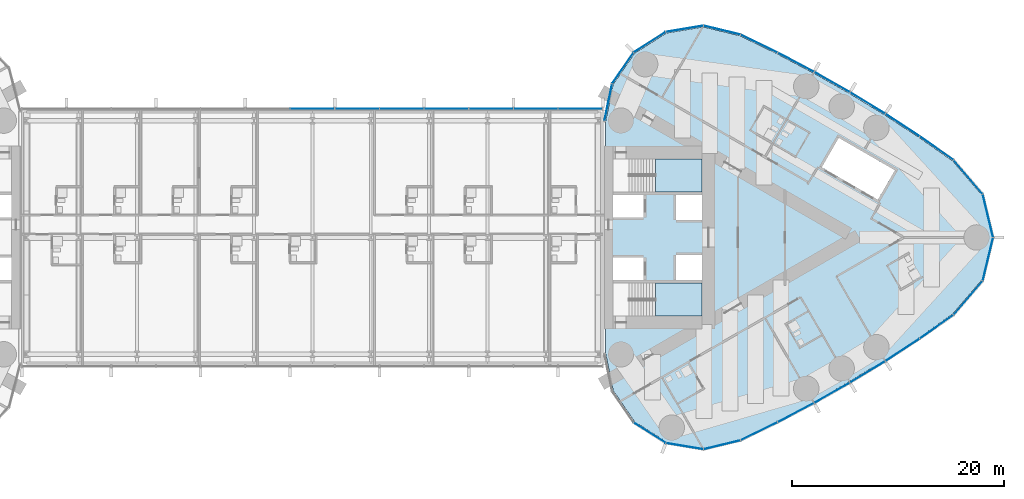
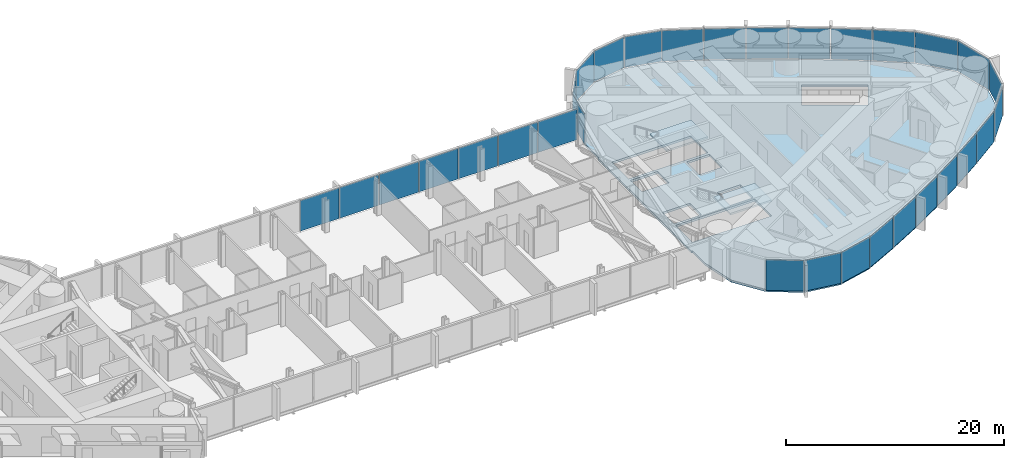
# One storey, part 13 of 22: 31 plates, 3 slabs, 4 elements without a shape of their own.
"""IFC4 building model written with IfcOpenShell, lengths in metres."""

from ifc_helpers import new_model, si_unit, direction, frame, origin, origin_2d, place, context, subcontext, project, spatial, polyline, rectangle, outline, extrude, material, layer, layer_set, type_object, element, aggregate, save


model = new_model("IFC4")

# Units and contexts
model_context = context("Model", 3, precision=1e-05, world=origin(), true_north=direction((0.0, 1.0)))
body_context = subcontext(model_context, "Body", "Model", "MODEL_VIEW")
ifc_project = project(units=[si_unit("LENGTHUNIT", "METRE"), si_unit("AREAUNIT", "SQUARE_METRE"), si_unit("VOLUMEUNIT", "CUBIC_METRE"), si_unit("PLANEANGLEUNIT", "RADIAN"), si_unit("MASSUNIT", "GRAM", prefix="KILO")], contexts=[model_context])

# Site, building, storey
site_placement = place(None, origin())
site = spatial("IfcSite", under=ifc_project, at=site_placement, CompositionType="ELEMENT")
building_placement = place(site_placement, origin())
building = spatial("IfcBuilding", under=site, at=building_placement, Name="Lancet Gate Hotel", CompositionType="ELEMENT")
storey_placement = place(building_placement, frame((0.0, 0.0, 233.300048828125)))
storey = spatial("IfcBuildingStorey", under=building, at=storey_placement, Name="L62", CompositionType="ELEMENT", Elevation=233.300048828125)

# Curtain wall, plates
ifc_material_1 = material(Name="Aluminium curtain wall", Category="aluminium")
curtain_wall_type_1 = type_object("IfcCurtainWallType", Name="Bridge block curtain wall", PredefinedType="USERDEFINED", material=ifc_material_1)
curtain_wall_1_placement = place(storey_placement, origin())
curtain_wall_1 = element("IfcCurtainWall", 1, at=curtain_wall_1_placement, inside=storey, type_object=curtain_wall_type_1, Name="Bridge block L62 curtain wall N", ObjectType="UNITISED CURTAIN WALL", PredefinedType="USERDEFINED")
ifc_material_2 = material(Name="Glass double glazed unit 8-16-6", Category="glass")
ifc_layer_1 = layer(ifc_material_2, 0.030029296875)
ifc_layer_set_1 = layer_set([ifc_layer_1], Name="Block vision panel")
plate_type_1 = type_object("IfcPlateType", Name="Block vision panel", PredefinedType="CURTAIN_PANEL", material=ifc_layer_set_1)
plate_1_placement = place(storey_placement, frame((25.24609375, 12.1201171875, 0.0), z_axis=(0.0, 0.0, 1.0), x_axis=(-1.0, 0.0, 0.0)))
plate_1 = element("IfcPlate", 2, at=plate_1_placement, type_object=plate_type_1, Name="Bridge block L62 curtain wall N panel 1", PredefinedType="CURTAIN_PANEL", context=body_context, shape_type="SweptSolid", body=[
    extrude(rectangle(XDim=4.142578125, YDim=0.030029296875, at=origin_2d()), origin(), (0.0, 0.0, 1.0), 3.449951171875),
])
plate_2_placement = place(storey_placement, frame((21.03857421875, 12.1201171875, 0.0), z_axis=(0.0, 0.0, 1.0), x_axis=(-1.0, 0.0, 0.0)))
plate_2 = element("IfcPlate", 3, at=plate_2_placement, type_object=plate_type_1, Name="Bridge block L62 curtain wall N panel 2", PredefinedType="CURTAIN_PANEL", context=body_context, shape_type="SweptSolid", body=[
    extrude(rectangle(XDim=4.142578125, YDim=0.030029296875, at=origin_2d()), origin(), (0.0, 0.0, 1.0), 3.449951171875),
])
plate_3_placement = place(storey_placement, frame((16.830810546875, 12.1201171875, 0.0), z_axis=(0.0, 0.0, 1.0), x_axis=(-1.0, 0.0, 0.0)))
plate_3 = element("IfcPlate", 4, at=plate_3_placement, type_object=plate_type_1, Name="Bridge block L62 curtain wall N panel 3", PredefinedType="CURTAIN_PANEL", context=body_context, shape_type="SweptSolid", body=[
    extrude(rectangle(XDim=4.142578125, YDim=0.030029296875, at=origin_2d()), origin(), (0.0, 0.0, 1.0), 3.449951171875),
])
plate_4_placement = place(storey_placement, frame((12.623046875, 12.1201171875, 0.0), z_axis=(0.0, 0.0, 1.0), x_axis=(-1.0, 0.0, 0.0)))
plate_4 = element("IfcPlate", 5, at=plate_4_placement, type_object=plate_type_1, Name="Bridge block L62 curtain wall N panel 4", PredefinedType="CURTAIN_PANEL", context=body_context, shape_type="SweptSolid", body=[
    extrude(rectangle(XDim=4.142578125, YDim=0.030029296875, at=origin_2d()), origin(), (0.0, 0.0, 1.0), 3.449951171875),
])
plate_5_placement = place(storey_placement, frame((8.415283203125, 12.1201171875, 0.0), z_axis=(0.0, 0.0, 1.0), x_axis=(-1.0, 0.0, 0.0)))
plate_5 = element("IfcPlate", 6, at=plate_5_placement, type_object=plate_type_1, Name="Bridge block L62 curtain wall N panel 5", PredefinedType="CURTAIN_PANEL", context=body_context, shape_type="SweptSolid", body=[
    extrude(rectangle(XDim=4.142578125, YDim=0.030029296875, at=origin_2d()), origin(), (0.0, 0.0, 1.0), 3.449951171875),
])
plate_6_placement = place(storey_placement, frame((4.207763671875, 12.1201171875, 0.0), z_axis=(0.0, 0.0, 1.0), x_axis=(-1.0, 0.0, 0.0)))
plate_6 = element("IfcPlate", 7, at=plate_6_placement, type_object=plate_type_1, Name="Bridge block L62 curtain wall N panel 6", PredefinedType="CURTAIN_PANEL", context=body_context, shape_type="SweptSolid", body=[
    extrude(rectangle(XDim=4.142578125, YDim=0.030029296875, at=origin_2d()), origin(), (0.0, 0.0, 1.0), 3.449951171875),
])
plate_7_placement = place(storey_placement, frame((0.0, 12.1201171875, 0.0), z_axis=(0.0, 0.0, 1.0), x_axis=(-1.0, 0.0, 0.0)))
plate_7 = element("IfcPlate", 8, at=plate_7_placement, type_object=plate_type_1, Name="Bridge block L62 curtain wall N panel 7", PredefinedType="CURTAIN_PANEL", context=body_context, shape_type="SweptSolid", body=[
    extrude(rectangle(XDim=4.142578125, YDim=0.030029296875, at=origin_2d()), origin(), (0.0, 0.0, 1.0), 3.449951171875),
])
aggregate(curtain_wall_1, [plate_1, plate_2, plate_3, plate_4, plate_5, plate_6, plate_7])

# Slab
ifc_material_3 = material(Name="Concrete C50/60", Category="concrete")
ifc_layer_2 = layer(ifc_material_3, 0.25)
ifc_layer_set_2 = layer_set([ifc_layer_2], Name="Floor slab 250")
slab_type_1 = type_object("IfcSlabType", Name="Floor slab 250", PredefinedType="FLOOR", material=ifc_layer_set_2)
slab_1_placement = place(storey_placement, frame((0.0, 0.0, -0.25)))
element("IfcSlab", 9, at=slab_1_placement, inside=storey, type_object=slab_type_1, Name="T2 L62 floor slab", PredefinedType="FLOOR", context=body_context, shape_type="SweptSolid", body=[
    extrude(outline(polyline([(27.5, -8.60009765625), (27.6201171875, -8.60009765625), (27.6201171875, -10.93603515625), (28.329345703125, -14.419677734375), (30.33740234375, -17.338134765625), (33.326904296875, -19.2392578125), (36.82177734375, -19.81982421875), (40.2763671875, -18.98486328125), (43.753662109375, -17.2890625), (47.18603515625, -15.47998046875), (50.5595703125, -13.56396484375), (53.87158203125, -11.54296875), (57.118408203125, -9.4189453125), (60.2861328125, -7.20166015625), (62.99658203125, -4.03759765625), (63.968017578125, 0.0), (62.99658203125, 4.03759765625), (60.2861328125, 7.20166015625), (57.118408203125, 9.4189453125), (53.87158203125, 11.54296875), (50.5595703125, 13.56396484375), (47.18603515625, 15.47998046875), (43.753662109375, 17.2890625), (40.2763671875, 18.98486328125), (36.82177734375, 19.81982421875), (33.326904296875, 19.2392578125), (30.33740234375, 17.338134765625), (28.329345703125, 14.419677734375), (27.6201171875, 10.93603515625), (27.6201171875, 8.60009765625), (27.5, 8.60009765625), (27.5, 8.199951171875), (27.5, -8.199951171875), (27.5, -8.60009765625)]), holes=[polyline([(36.699951171875, -7.39990234375), (36.699951171875, -4.300048828125), (28.300048828125, -4.300048828125), (28.300048828125, -7.39990234375), (36.699951171875, -7.39990234375)]), polyline([(28.300048828125, -4.0), (31.199951171875, -4.0), (31.199951171875, -1.89990234375), (28.300048828125, -1.89990234375), (28.300048828125, -4.0)]), polyline([(34.25, -4.0), (36.699951171875, -4.0), (36.699951171875, -1.64990234375), (34.25, -1.64990234375), (34.25, -4.0)]), polyline([(36.699951171875, 1.64990234375), (36.699951171875, 4.0), (34.25, 4.0), (34.25, 1.64990234375), (36.699951171875, 1.64990234375)]), polyline([(28.300048828125, 1.89990234375), (31.199951171875, 1.89990234375), (31.199951171875, 4.0), (28.300048828125, 4.0), (28.300048828125, 1.89990234375)]), polyline([(28.300048828125, 4.300048828125), (36.699951171875, 4.300048828125), (36.699951171875, 7.39990234375), (28.300048828125, 7.39990234375), (28.300048828125, 4.300048828125)]), polyline([(53.242919921875, 3.555908203125), (54.843017578125, 6.326904296875), (49.56103515625, 9.376953125), (47.9609375, 6.60595703125), (53.242919921875, 3.555908203125)])]), origin(), (0.0, 0.0, 1.0), 0.25),
])

# Stair, slab
ifc_material_4 = material(Name="Exit stair 20 risers 1500")
stair_type = type_object("IfcStairType", Name="Exit stair 20 risers 1500", PredefinedType="HALF_TURN_STAIR", material=ifc_material_4)
stair_1_placement = place(storey_placement, origin())
stair_1 = element("IfcStair", 10, at=stair_1_placement, inside=storey, type_object=stair_type, Name="T2 stair 1 L62", PredefinedType="HALF_TURN_STAIR")
ifc_material_5 = material(Name="Concrete C40/50", Category="concrete")
ifc_layer_3 = layer(ifc_material_5, 0.199951171875)
ifc_layer_set_3 = layer_set([ifc_layer_3], Name="Stair landing 200")
slab_type_2 = type_object("IfcSlabType", Name="Stair landing 200", PredefinedType="LANDING", material=ifc_layer_set_3)
slab_2_placement = place(storey_placement, frame((0.0, 0.0, 1.599853515625)))
slab_2 = element("IfcSlab", 11, at=slab_2_placement, type_object=slab_type_2, Name="ST3 landing 2", PredefinedType="LANDING", context=body_context, shape_type="SweptSolid", body=[
    extrude(outline(polyline([(32.320068359375, -7.39990234375), (36.699951171875, -7.39990234375), (36.699951171875, -4.300048828125), (32.320068359375, -4.300048828125), (32.320068359375, -7.39990234375)])), origin(), (0.0, 0.0, 1.0), 0.2001953125),
])
aggregate(stair_1, [slab_2])

stair_2_placement = place(storey_placement, origin())
stair_2 = element("IfcStair", 12, at=stair_2_placement, inside=storey, type_object=stair_type, Name="T2 stair 2 L62", PredefinedType="HALF_TURN_STAIR")
slab_3_placement = place(storey_placement, frame((0.0, 0.0, 1.599853515625)))
slab_3 = element("IfcSlab", 13, at=slab_3_placement, type_object=slab_type_2, Name="ST4 landing 2", PredefinedType="LANDING", context=body_context, shape_type="SweptSolid", body=[
    extrude(outline(polyline([(32.320068359375, 4.300048828125), (36.699951171875, 4.300048828125), (36.699951171875, 7.39990234375), (32.320068359375, 7.39990234375), (32.320068359375, 4.300048828125)])), origin(), (0.0, 0.0, 1.0), 0.2001953125),
])
aggregate(stair_2, [slab_3])

# Curtain wall, plates
ifc_material_6 = material(Name="Aluminium curtain wall", Category="aluminium")
curtain_wall_type_2 = type_object("IfcCurtainWallType", Name="Tower unitised curtain wall", PredefinedType="USERDEFINED", material=ifc_material_6)
curtain_wall_2_placement = place(storey_placement, origin())
curtain_wall_2 = element("IfcCurtainWall", 14, at=curtain_wall_2_placement, inside=storey, type_object=curtain_wall_type_2, Name="T2 L62 curtain wall 1", ObjectType="UNITISED CURTAIN WALL", PredefinedType="USERDEFINED")
ifc_material_7 = material(Name="Glass double glazed unit 8-16-6", Category="glass")
ifc_layer_4 = layer(ifc_material_7, 0.030029296875)
ifc_layer_set_4 = layer_set([ifc_layer_4], Name="Vision panel double glazed")
plate_type_2 = type_object("IfcPlateType", Name="Vision panel double glazed", PredefinedType="CURTAIN_PANEL", material=ifc_layer_set_4)
plate_8_placement = place(storey_placement, frame((31.767822265625, -18.389892578125, 0.0), z_axis=(0.0, 0.0, 1.0), x_axis=(0.843845020422, -0.536586974785, 0.0)))
plate_8 = element("IfcPlate", 15, at=plate_8_placement, type_object=plate_type_2, Name="T2 L62 curtain wall 1 panel 3", PredefinedType="CURTAIN_PANEL", context=body_context, shape_type="SweptSolid", body=[
    extrude(rectangle(XDim=3.526611328125, YDim=0.030029296875, at=origin_2d()), origin(), (0.0, 0.0, 1.0), 3.449951171875),
])
plate_9_placement = place(storey_placement, frame((35.0546875, -19.64794921875, 0.0), z_axis=(0.0, 0.0, 1.0), x_axis=(0.986480101775, -0.163881081283, 0.0)))
plate_9 = element("IfcPlate", 16, at=plate_9_placement, type_object=plate_type_2, Name="T2 L62 curtain wall 1 panel 4", PredefinedType="CURTAIN_PANEL", context=body_context, shape_type="SweptSolid", body=[
    extrude(rectangle(XDim=3.526611328125, YDim=0.030029296875, at=origin_2d()), origin(), (0.0, 0.0, 1.0), 3.449951171875),
])
plate_10_placement = place(storey_placement, frame((38.57177734375, -19.520263671875, 0.0), z_axis=(0.0, 0.0, 1.0), x_axis=(0.972013837597, 0.234923603582, 0.0)))
plate_10 = element("IfcPlate", 17, at=plate_10_placement, type_object=plate_type_2, Name="T2 L62 curtain wall 1 panel 5", PredefinedType="CURTAIN_PANEL", context=body_context, shape_type="SweptSolid", body=[
    extrude(rectangle(XDim=3.526611328125, YDim=0.030029296875, at=origin_2d()), origin(), (0.0, 0.0, 1.0), 3.449951171875),
])
plate_11_placement = place(storey_placement, frame((42.062744140625, -18.247314453125, 0.0), z_axis=(0.0, 0.0, 1.0), x_axis=(0.898823462202, 0.438310830114, 0.0)))
plate_11 = element("IfcPlate", 18, at=plate_11_placement, type_object=plate_type_2, Name="T2 L62 curtain wall 1 panel 6", PredefinedType="CURTAIN_PANEL", context=body_context, shape_type="SweptSolid", body=[
    extrude(rectangle(XDim=3.818603515625, YDim=0.030029296875, at=origin_2d()), origin(), (0.0, 0.0, 1.0), 3.449951171875),
])
plate_12_placement = place(storey_placement, frame((45.52587890625, -16.49072265625, 0.0), z_axis=(0.0, 0.0, 1.0), x_axis=(0.884622760861, 0.466307378204, 0.0)))
plate_12 = element("IfcPlate", 19, at=plate_12_placement, type_object=plate_type_2, Name="T2 L62 curtain wall 1 panel 7", PredefinedType="CURTAIN_PANEL", context=body_context, shape_type="SweptSolid", body=[
    extrude(rectangle(XDim=3.818603515625, YDim=0.030029296875, at=origin_2d()), origin(), (0.0, 0.0, 1.0), 3.449951171875),
])
plate_13_placement = place(storey_placement, frame((48.93212890625, -14.626220703125, 0.0), z_axis=(0.0, 0.0, 1.0), x_axis=(0.869550293306, 0.493844395951, 0.0)))
plate_13 = element("IfcPlate", 20, at=plate_13_placement, type_object=plate_type_2, Name="T2 L62 curtain wall 1 panel 8", PredefinedType="CURTAIN_PANEL", context=body_context, shape_type="SweptSolid", body=[
    extrude(rectangle(XDim=3.818603515625, YDim=0.030029296875, at=origin_2d()), origin(), (0.0, 0.0, 1.0), 3.449951171875),
])
plate_14_placement = place(storey_placement, frame((52.278076171875, -12.65576171875, 0.0), z_axis=(0.0, 0.0, 1.0), x_axis=(0.853620912967, 0.520894746513, 0.0)))
plate_14 = element("IfcPlate", 21, at=plate_14_placement, type_object=plate_type_2, Name="T2 L62 curtain wall 1 panel 9", PredefinedType="CURTAIN_PANEL", context=body_context, shape_type="SweptSolid", body=[
    extrude(rectangle(XDim=3.818603515625, YDim=0.030029296875, at=origin_2d()), origin(), (0.0, 0.0, 1.0), 3.449951171875),
])
plate_15_placement = place(storey_placement, frame((55.560791015625, -10.581298828125, 0.0), z_axis=(0.0, 0.0, 1.0), x_axis=(0.83685031771, 0.547431772688, 0.0)))
plate_15 = element("IfcPlate", 22, at=plate_15_placement, type_object=plate_type_2, Name="T2 L62 curtain wall 1 panel 10", PredefinedType="CURTAIN_PANEL", context=body_context, shape_type="SweptSolid", body=[
    extrude(rectangle(XDim=3.818603515625, YDim=0.030029296875, at=origin_2d()), origin(), (0.0, 0.0, 1.0), 3.449951171875),
])
plate_16_placement = place(storey_placement, frame((58.776611328125, -8.40478515625, 0.0), z_axis=(0.0, 0.0, 1.0), x_axis=(0.819255034386, 0.573429323137, 0.0)))
plate_16 = element("IfcPlate", 23, at=plate_16_placement, type_object=plate_type_2, Name="T2 L62 curtain wall 1 panel 11", PredefinedType="CURTAIN_PANEL", context=body_context, shape_type="SweptSolid", body=[
    extrude(rectangle(XDim=3.818603515625, YDim=0.030029296875, at=origin_2d()), origin(), (0.0, 0.0, 1.0), 3.449951171875),
])
plate_17_placement = place(storey_placement, frame((61.737060546875, -5.692626953125, 0.0), z_axis=(0.0, 0.0, 1.0), x_axis=(0.650551562434, 0.759462088991, 0.0)))
plate_17 = element("IfcPlate", 24, at=plate_17_placement, type_object=plate_type_2, Name="T2 L62 curtain wall 1 panel 12", PredefinedType="CURTAIN_PANEL", context=body_context, shape_type="SweptSolid", body=[
    extrude(rectangle(XDim=4.1455078125, YDim=0.030029296875, at=origin_2d()), origin(), (0.0, 0.0, 1.0), 3.449951171875),
])
plate_18_placement = place(storey_placement, frame((63.598876953125, -2.046875, 0.0), z_axis=(0.0, 0.0, 1.0), x_axis=(0.233916001796, 0.972256809749, 0.0)))
plate_18 = element("IfcPlate", 25, at=plate_18_placement, type_object=plate_type_2, Name="T2 L62 curtain wall 1 panel 13", PredefinedType="CURTAIN_PANEL", context=body_context, shape_type="SweptSolid", body=[
    extrude(rectangle(XDim=4.1455078125, YDim=0.030029296875, at=origin_2d()), origin(), (0.0, 0.0, 1.0), 3.449951171875),
])
plate_19_placement = place(storey_placement, frame((63.598876953125, 2.046875, 0.0), z_axis=(0.0, 0.0, 1.0), x_axis=(-0.233916001796, 0.972256809749, 0.0)))
plate_19 = element("IfcPlate", 26, at=plate_19_placement, type_object=plate_type_2, Name="T2 L62 curtain wall 1 panel 14", PredefinedType="CURTAIN_PANEL", context=body_context, shape_type="SweptSolid", body=[
    extrude(rectangle(XDim=4.1455078125, YDim=0.030029296875, at=origin_2d()), origin(), (0.0, 0.0, 1.0), 3.449951171875),
])
plate_20_placement = place(storey_placement, frame((61.737060546875, 5.692626953125, 0.0), z_axis=(0.0, 0.0, 1.0), x_axis=(-0.650551562434, 0.759462088991, 0.0)))
plate_20 = element("IfcPlate", 27, at=plate_20_placement, type_object=plate_type_2, Name="T2 L62 curtain wall 1 panel 15", PredefinedType="CURTAIN_PANEL", context=body_context, shape_type="SweptSolid", body=[
    extrude(rectangle(XDim=4.1455078125, YDim=0.030029296875, at=origin_2d()), origin(), (0.0, 0.0, 1.0), 3.449951171875),
])
plate_21_placement = place(storey_placement, frame((58.776611328125, 8.40478515625, 0.0), z_axis=(0.0, 0.0, 1.0), x_axis=(-0.819255034386, 0.573429323137, 0.0)))
plate_21 = element("IfcPlate", 28, at=plate_21_placement, type_object=plate_type_2, Name="T2 L62 curtain wall 1 panel 16", PredefinedType="CURTAIN_PANEL", context=body_context, shape_type="SweptSolid", body=[
    extrude(rectangle(XDim=3.818603515625, YDim=0.030029296875, at=origin_2d()), origin(), (0.0, 0.0, 1.0), 3.449951171875),
])
plate_22_placement = place(storey_placement, frame((55.560791015625, 10.581298828125, 0.0), z_axis=(0.0, 0.0, 1.0), x_axis=(-0.83685031771, 0.547431772688, 0.0)))
plate_22 = element("IfcPlate", 29, at=plate_22_placement, type_object=plate_type_2, Name="T2 L62 curtain wall 1 panel 17", PredefinedType="CURTAIN_PANEL", context=body_context, shape_type="SweptSolid", body=[
    extrude(rectangle(XDim=3.818603515625, YDim=0.030029296875, at=origin_2d()), origin(), (0.0, 0.0, 1.0), 3.449951171875),
])
plate_23_placement = place(storey_placement, frame((52.278076171875, 12.65576171875, 0.0), z_axis=(0.0, 0.0, 1.0), x_axis=(-0.853620912967, 0.520894746513, 0.0)))
plate_23 = element("IfcPlate", 30, at=plate_23_placement, type_object=plate_type_2, Name="T2 L62 curtain wall 1 panel 18", PredefinedType="CURTAIN_PANEL", context=body_context, shape_type="SweptSolid", body=[
    extrude(rectangle(XDim=3.818603515625, YDim=0.030029296875, at=origin_2d()), origin(), (0.0, 0.0, 1.0), 3.449951171875),
])
plate_24_placement = place(storey_placement, frame((48.93212890625, 14.626220703125, 0.0), z_axis=(0.0, 0.0, 1.0), x_axis=(-0.869550293306, 0.493844395951, 0.0)))
plate_24 = element("IfcPlate", 31, at=plate_24_placement, type_object=plate_type_2, Name="T2 L62 curtain wall 1 panel 19", PredefinedType="CURTAIN_PANEL", context=body_context, shape_type="SweptSolid", body=[
    extrude(rectangle(XDim=3.818603515625, YDim=0.030029296875, at=origin_2d()), origin(), (0.0, 0.0, 1.0), 3.449951171875),
])
plate_25_placement = place(storey_placement, frame((45.52587890625, 16.49072265625, 0.0), z_axis=(0.0, 0.0, 1.0), x_axis=(-0.884622760861, 0.466307378204, 0.0)))
plate_25 = element("IfcPlate", 32, at=plate_25_placement, type_object=plate_type_2, Name="T2 L62 curtain wall 1 panel 20", PredefinedType="CURTAIN_PANEL", context=body_context, shape_type="SweptSolid", body=[
    extrude(rectangle(XDim=3.818603515625, YDim=0.030029296875, at=origin_2d()), origin(), (0.0, 0.0, 1.0), 3.449951171875),
])
plate_26_placement = place(storey_placement, frame((42.062744140625, 18.247314453125, 0.0), z_axis=(0.0, 0.0, 1.0), x_axis=(-0.898823462202, 0.438310830114, 0.0)))
plate_26 = element("IfcPlate", 33, at=plate_26_placement, type_object=plate_type_2, Name="T2 L62 curtain wall 1 panel 21", PredefinedType="CURTAIN_PANEL", context=body_context, shape_type="SweptSolid", body=[
    extrude(rectangle(XDim=3.818603515625, YDim=0.030029296875, at=origin_2d()), origin(), (0.0, 0.0, 1.0), 3.449951171875),
])
plate_27_placement = place(storey_placement, frame((38.57177734375, 19.520263671875, 0.0), z_axis=(0.0, 0.0, 1.0), x_axis=(-0.972013837597, 0.234923603582, 0.0)))
plate_27 = element("IfcPlate", 34, at=plate_27_placement, type_object=plate_type_2, Name="T2 L62 curtain wall 1 panel 22", PredefinedType="CURTAIN_PANEL", context=body_context, shape_type="SweptSolid", body=[
    extrude(rectangle(XDim=3.526611328125, YDim=0.030029296875, at=origin_2d()), origin(), (0.0, 0.0, 1.0), 3.449951171875),
])
plate_28_placement = place(storey_placement, frame((35.0546875, 19.64794921875, 0.0), z_axis=(0.0, 0.0, 1.0), x_axis=(-0.986480101775, -0.163881081283, 0.0)))
plate_28 = element("IfcPlate", 35, at=plate_28_placement, type_object=plate_type_2, Name="T2 L62 curtain wall 1 panel 23", PredefinedType="CURTAIN_PANEL", context=body_context, shape_type="SweptSolid", body=[
    extrude(rectangle(XDim=3.526611328125, YDim=0.030029296875, at=origin_2d()), origin(), (0.0, 0.0, 1.0), 3.449951171875),
])
plate_29_placement = place(storey_placement, frame((31.767822265625, 18.389892578125, 0.0), z_axis=(0.0, 0.0, 1.0), x_axis=(-0.843845020422, -0.536586974785, 0.0)))
plate_29 = element("IfcPlate", 36, at=plate_29_placement, type_object=plate_type_2, Name="T2 L62 curtain wall 1 panel 24", PredefinedType="CURTAIN_PANEL", context=body_context, shape_type="SweptSolid", body=[
    extrude(rectangle(XDim=3.526611328125, YDim=0.030029296875, at=origin_2d()), origin(), (0.0, 0.0, 1.0), 3.449951171875),
])
plate_30_placement = place(storey_placement, frame((29.234619140625, 15.947021484375, 0.0), z_axis=(0.0, 0.0, 1.0), x_axis=(-0.566823864908, -0.823839005007, 0.0)))
plate_30 = element("IfcPlate", 37, at=plate_30_placement, type_object=plate_type_2, Name="T2 L62 curtain wall 1 panel 25", PredefinedType="CURTAIN_PANEL", context=body_context, shape_type="SweptSolid", body=[
    extrude(rectangle(XDim=3.526611328125, YDim=0.030029296875, at=origin_2d()), origin(), (0.0, 0.0, 1.0), 3.449951171875),
])
plate_31_placement = place(storey_placement, frame((27.8583984375, 12.707763671875, 0.0), z_axis=(0.0, 0.0, 1.0), x_axis=(-0.199533486841, -0.979891008036, 0.0)))
plate_31 = element("IfcPlate", 38, at=plate_31_placement, type_object=plate_type_2, Name="T2 L62 curtain wall 1 panel 26", PredefinedType="CURTAIN_PANEL", context=body_context, shape_type="SweptSolid", body=[
    extrude(rectangle(XDim=3.526611328125, YDim=0.030029296875, at=origin_2d()), origin(), (0.0, 0.0, 1.0), 3.449951171875),
])
aggregate(curtain_wall_2, [plate_8, plate_9, plate_10, plate_11, plate_12, plate_13, plate_14, plate_15, plate_16, plate_17, plate_18, plate_19, plate_20, plate_21, plate_22, plate_23, plate_24, plate_25, plate_26, plate_27, plate_28, plate_29, plate_30, plate_31])

save(model, "model.ifc")
